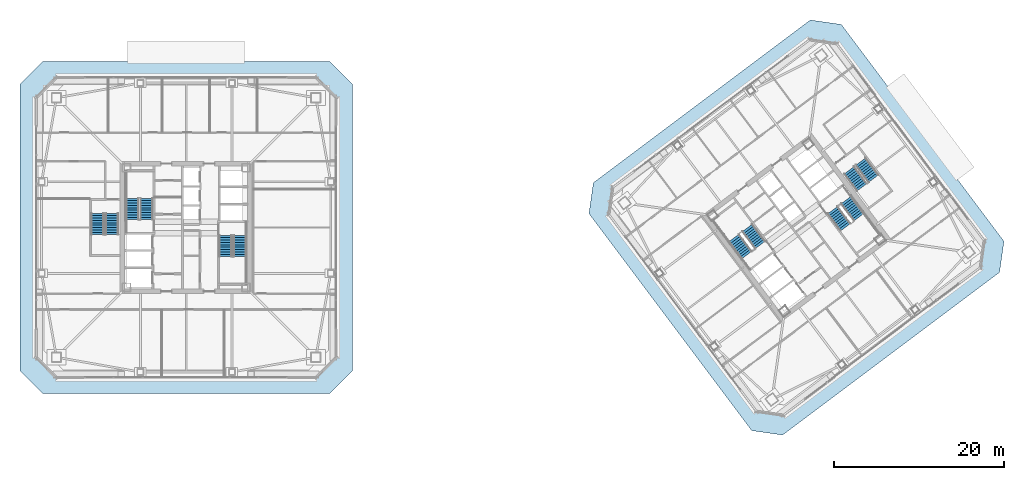
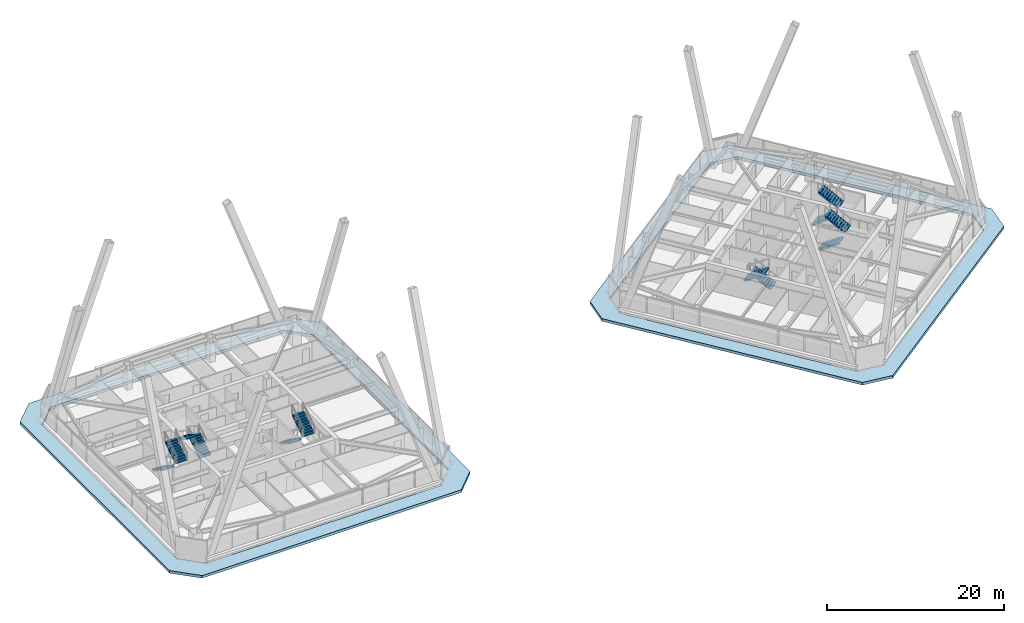
# One storey, part 59 of 65: 12 stair flights, 2 roofs, 6 elements without a shape of their own.
"""IFC4 building model written with IfcOpenShell, lengths in metres."""

from ifc_helpers import new_model, si_unit, direction, frame, origin, place, context, subcontext, project, spatial, polyline, outline, extrude, material, layer, layer_set, type_object, element, aggregate, save


model = new_model("IFC4")

# Units and contexts
model_context = context("Model", 3, precision=1e-05, world=origin(), true_north=direction((0.0, 1.0)))
body_context = subcontext(model_context, "Body", "Model", "MODEL_VIEW")
ifc_project = project(units=[si_unit("LENGTHUNIT", "METRE"), si_unit("AREAUNIT", "SQUARE_METRE"), si_unit("VOLUMEUNIT", "CUBIC_METRE"), si_unit("PLANEANGLEUNIT", "RADIAN"), si_unit("MASSUNIT", "GRAM", prefix="KILO")], contexts=[model_context])

# Site, building, storey
site_placement = place(None, origin())
site = spatial("IfcSite", under=ifc_project, at=site_placement, CompositionType="ELEMENT")
building_placement = place(site_placement, origin())
building = spatial("IfcBuilding", under=site, at=building_placement, Name="Tashvorn Skyway Center", CompositionType="ELEMENT")
storey_placement = place(building_placement, frame((0.0, 0.0, 157.0)))
storey = spatial("IfcBuildingStorey", under=building, at=storey_placement, Name="L42", CompositionType="ELEMENT", Elevation=157.0)

# Stair, stair flights
ifc_material_1 = material(Name="Concrete C40/50", Category="concrete")
stair_type = type_object("IfcStairType", Name="STAIR-CORE-1500", PredefinedType="HALF_TURN_STAIR", material=ifc_material_1)
stair_1_placement = place(storey_placement, origin())
stair_1 = element("IfcStair", 1, at=stair_1_placement, inside=storey, type_object=stair_type, Name="L42 Tower 1 Exit Stair 1", PredefinedType="HALF_TURN_STAIR")
stair_flight_type = type_object("IfcStairFlightType", Name="SFLIGHT-1500", PredefinedType="STRAIGHT", material=ifc_material_1)
stair_flight_1_placement = place(storey_placement, frame((37.35009765625, 32.919921875, 0.0), z_axis=(0.0, 0.0, 1.0), x_axis=(0.0, 1.0, 0.0)))
stair_flight_1 = element("IfcStairFlight", 2, at=stair_flight_1_placement, type_object=stair_flight_type, Name="ST-T1-1 flight 1", NumberOfRisers=10, NumberOfTreads=9, PredefinedType="STRAIGHT", RiserHeight=0.1775, TreadLength=0.28, context=body_context, shape_type="SweptSolid", body=[
    extrude(outline(polyline([(0.0, 0.0), (0.0, 0.177490234375), (0.280029296875, 0.177490234375), (0.280029296875, 0.35498046875), (0.56005859375, 0.35498046875), (0.56005859375, 0.532470703125), (0.840087890625, 0.532470703125), (0.840087890625, 0.7099609375), (1.1201171875, 0.7099609375), (1.1201171875, 0.887451171875), (1.39990234375, 0.887451171875), (1.39990234375, 1.06494140625), (1.679931640625, 1.06494140625), (1.679931640625, 1.242431640625), (1.9599609375, 1.242431640625), (1.9599609375, 1.419921875), (2.239990234375, 1.419921875), (2.239990234375, 1.597412109375), (2.52001953125, 1.597412109375), (2.52001953125, 1.77490234375), (2.52001953125, 1.419921875), (0.280029296875, 0.0), (0.0, 0.0)])), frame((0.0, 0.75, 0.0), z_axis=(0.0, -1.0, 0.0), x_axis=(1.0, 0.0, 0.0)), (0.0, 0.0, 1.0), 1.5),
])
stair_flight_2_placement = place(storey_placement, frame((35.64990234375, 35.43994140625, 1.77490234375), z_axis=(0.0, 0.0, 1.0), x_axis=(0.0, -1.0, 0.0)))
stair_flight_2 = element("IfcStairFlight", 3, at=stair_flight_2_placement, type_object=stair_flight_type, Name="ST-T1-1 flight 2", NumberOfRisers=10, NumberOfTreads=9, PredefinedType="STRAIGHT", RiserHeight=0.1775, TreadLength=0.28, context=body_context, shape_type="SweptSolid", body=[
    extrude(outline(polyline([(0.0, 0.0), (0.0, 0.177490234375), (0.280029296875, 0.177490234375), (0.280029296875, 0.35498046875), (0.56005859375, 0.35498046875), (0.56005859375, 0.532470703125), (0.840087890625, 0.532470703125), (0.840087890625, 0.7099609375), (1.1201171875, 0.7099609375), (1.1201171875, 0.887451171875), (1.39990234375, 0.887451171875), (1.39990234375, 1.06494140625), (1.679931640625, 1.06494140625), (1.679931640625, 1.242431640625), (1.9599609375, 1.242431640625), (1.9599609375, 1.419921875), (2.239990234375, 1.419921875), (2.239990234375, 1.597412109375), (2.52001953125, 1.597412109375), (2.52001953125, 1.77490234375), (2.52001953125, 1.419921875), (0.280029296875, 0.0), (0.0, 0.0)])), frame((0.0, 0.75, 0.0), z_axis=(0.0, -1.0, 0.0), x_axis=(1.0, 0.0, 0.0)), (0.0, 0.0, 1.0), 1.5),
])
aggregate(stair_1, [stair_flight_1, stair_flight_2])

stair_2_placement = place(storey_placement, origin())
stair_2 = element("IfcStair", 4, at=stair_2_placement, inside=storey, type_object=stair_type, Name="L42 Tower 1 Exit Stair 2", PredefinedType="HALF_TURN_STAIR")
stair_flight_3_placement = place(storey_placement, frame((46.64990234375, 31.080078125, 0.0), z_axis=(0.0, 0.0, 1.0), x_axis=(0.0, -1.0, 0.0)))
stair_flight_3 = element("IfcStairFlight", 5, at=stair_flight_3_placement, type_object=stair_flight_type, Name="ST-T1-2 flight 1", NumberOfRisers=10, NumberOfTreads=9, PredefinedType="STRAIGHT", RiserHeight=0.1775, TreadLength=0.28, context=body_context, shape_type="SweptSolid", body=[
    extrude(outline(polyline([(0.0, 0.0), (0.0, 0.177490234375), (0.280029296875, 0.177490234375), (0.280029296875, 0.35498046875), (0.56005859375, 0.35498046875), (0.56005859375, 0.532470703125), (0.840087890625, 0.532470703125), (0.840087890625, 0.7099609375), (1.1201171875, 0.7099609375), (1.1201171875, 0.887451171875), (1.39990234375, 0.887451171875), (1.39990234375, 1.06494140625), (1.679931640625, 1.06494140625), (1.679931640625, 1.242431640625), (1.9599609375, 1.242431640625), (1.9599609375, 1.419921875), (2.239990234375, 1.419921875), (2.239990234375, 1.597412109375), (2.52001953125, 1.597412109375), (2.52001953125, 1.77490234375), (2.52001953125, 1.419921875), (0.280029296875, 0.0), (0.0, 0.0)])), frame((0.0, 0.75, 0.0), z_axis=(0.0, -1.0, 0.0), x_axis=(1.0, 0.0, 0.0)), (0.0, 0.0, 1.0), 1.5),
])
stair_flight_4_placement = place(storey_placement, frame((48.35009765625, 28.56005859375, 1.77490234375), z_axis=(0.0, 0.0, 1.0), x_axis=(0.0, 1.0, 0.0)))
stair_flight_4 = element("IfcStairFlight", 6, at=stair_flight_4_placement, type_object=stair_flight_type, Name="ST-T1-2 flight 2", NumberOfRisers=10, NumberOfTreads=9, PredefinedType="STRAIGHT", RiserHeight=0.1775, TreadLength=0.28, context=body_context, shape_type="SweptSolid", body=[
    extrude(outline(polyline([(0.0, 0.0), (0.0, 0.177490234375), (0.280029296875, 0.177490234375), (0.280029296875, 0.35498046875), (0.56005859375, 0.35498046875), (0.56005859375, 0.532470703125), (0.840087890625, 0.532470703125), (0.840087890625, 0.7099609375), (1.1201171875, 0.7099609375), (1.1201171875, 0.887451171875), (1.39990234375, 0.887451171875), (1.39990234375, 1.06494140625), (1.679931640625, 1.06494140625), (1.679931640625, 1.242431640625), (1.9599609375, 1.242431640625), (1.9599609375, 1.419921875), (2.239990234375, 1.419921875), (2.239990234375, 1.597412109375), (2.52001953125, 1.597412109375), (2.52001953125, 1.77490234375), (2.52001953125, 1.419921875), (0.280029296875, 0.0), (0.0, 0.0)])), frame((0.0, 0.75, 0.0), z_axis=(0.0, -1.0, 0.0), x_axis=(1.0, 0.0, 0.0)), (0.0, 0.0, 1.0), 1.5),
])
aggregate(stair_2, [stair_flight_3, stair_flight_4])

stair_3_placement = place(storey_placement, origin())
stair_3 = element("IfcStair", 7, at=stair_3_placement, inside=storey, type_object=stair_type, Name="L42 Tower 2 Exit Stair 1", PredefinedType="HALF_TURN_STAIR")
stair_flight_5_placement = place(storey_placement, frame((109.72802734375, 29.946044921875, 0.0), z_axis=(0.0, 0.0, 1.0), x_axis=(-0.600000004945, 0.799999996291, 0.0)))
stair_flight_5 = element("IfcStairFlight", 8, at=stair_flight_5_placement, type_object=stair_flight_type, Name="ST-T2-1 flight 1", NumberOfRisers=10, NumberOfTreads=9, PredefinedType="STRAIGHT", RiserHeight=0.1775, TreadLength=0.28, context=body_context, shape_type="SweptSolid", body=[
    extrude(outline(polyline([(0.0, 0.0), (0.0, 0.177490234375), (0.280029296875, 0.177490234375), (0.280029296875, 0.35498046875), (0.56005859375, 0.35498046875), (0.56005859375, 0.532470703125), (0.840087890625, 0.532470703125), (0.840087890625, 0.7099609375), (1.1201171875, 0.7099609375), (1.1201171875, 0.887451171875), (1.39990234375, 0.887451171875), (1.39990234375, 1.06494140625), (1.679931640625, 1.06494140625), (1.679931640625, 1.242431640625), (1.9599609375, 1.242431640625), (1.9599609375, 1.419921875), (2.239990234375, 1.419921875), (2.239990234375, 1.597412109375), (2.52001953125, 1.597412109375), (2.52001953125, 1.77490234375), (2.52001953125, 1.419921875), (0.280029296875, 0.0), (0.0, 0.0)])), frame((0.0, 0.75, 0.0), z_axis=(0.0, -1.0, 0.0), x_axis=(1.0, 0.0, 0.0)), (0.0, 0.0, 1.0), 1.5),
])
stair_flight_6_placement = place(storey_placement, frame((106.632080078125, 30.77392578125, 1.77490234375), z_axis=(0.0, 0.0, 1.0), x_axis=(0.600000004945, -0.799999996291, 0.0)))
stair_flight_6 = element("IfcStairFlight", 9, at=stair_flight_6_placement, type_object=stair_flight_type, Name="ST-T2-1 flight 2", NumberOfRisers=10, NumberOfTreads=9, PredefinedType="STRAIGHT", RiserHeight=0.1775, TreadLength=0.28, context=body_context, shape_type="SweptSolid", body=[
    extrude(outline(polyline([(0.0, 0.0), (0.0, 0.177490234375), (0.280029296875, 0.177490234375), (0.280029296875, 0.35498046875), (0.56005859375, 0.35498046875), (0.56005859375, 0.532470703125), (0.840087890625, 0.532470703125), (0.840087890625, 0.7099609375), (1.1201171875, 0.7099609375), (1.1201171875, 0.887451171875), (1.39990234375, 0.887451171875), (1.39990234375, 1.06494140625), (1.679931640625, 1.06494140625), (1.679931640625, 1.242431640625), (1.9599609375, 1.242431640625), (1.9599609375, 1.419921875), (2.239990234375, 1.419921875), (2.239990234375, 1.597412109375), (2.52001953125, 1.597412109375), (2.52001953125, 1.77490234375), (2.52001953125, 1.419921875), (0.280029296875, 0.0), (0.0, 0.0)])), frame((0.0, 0.75, 0.0), z_axis=(0.0, -1.0, 0.0), x_axis=(1.0, 0.0, 0.0)), (0.0, 0.0, 1.0), 1.5),
])
aggregate(stair_3, [stair_flight_5, stair_flight_6])

stair_4_placement = place(storey_placement, origin())
stair_4 = element("IfcStair", 10, at=stair_4_placement, inside=storey, type_object=stair_type, Name="L42 Tower 2 Exit Stair 2", PredefinedType="HALF_TURN_STAIR")
stair_flight_7_placement = place(storey_placement, frame((118.27197265625, 34.053955078125, 0.0), z_axis=(0.0, 0.0, 1.0), x_axis=(0.600000004945, -0.799999996291, 0.0)))
stair_flight_7 = element("IfcStairFlight", 11, at=stair_flight_7_placement, type_object=stair_flight_type, Name="ST-T2-2 flight 1", NumberOfRisers=10, NumberOfTreads=9, PredefinedType="STRAIGHT", RiserHeight=0.1775, TreadLength=0.28, context=body_context, shape_type="SweptSolid", body=[
    extrude(outline(polyline([(0.0, 0.0), (0.0, 0.177490234375), (0.280029296875, 0.177490234375), (0.280029296875, 0.35498046875), (0.56005859375, 0.35498046875), (0.56005859375, 0.532470703125), (0.840087890625, 0.532470703125), (0.840087890625, 0.7099609375), (1.1201171875, 0.7099609375), (1.1201171875, 0.887451171875), (1.39990234375, 0.887451171875), (1.39990234375, 1.06494140625), (1.679931640625, 1.06494140625), (1.679931640625, 1.242431640625), (1.9599609375, 1.242431640625), (1.9599609375, 1.419921875), (2.239990234375, 1.419921875), (2.239990234375, 1.597412109375), (2.52001953125, 1.597412109375), (2.52001953125, 1.77490234375), (2.52001953125, 1.419921875), (0.280029296875, 0.0), (0.0, 0.0)])), frame((0.0, 0.75, 0.0), z_axis=(0.0, -1.0, 0.0), x_axis=(1.0, 0.0, 0.0)), (0.0, 0.0, 1.0), 1.5),
])
stair_flight_8_placement = place(storey_placement, frame((121.367919921875, 33.22607421875, 1.77490234375), z_axis=(0.0, 0.0, 1.0), x_axis=(-0.600000004945, 0.799999996291, 0.0)))
stair_flight_8 = element("IfcStairFlight", 12, at=stair_flight_8_placement, type_object=stair_flight_type, Name="ST-T2-2 flight 2", NumberOfRisers=10, NumberOfTreads=9, PredefinedType="STRAIGHT", RiserHeight=0.1775, TreadLength=0.28, context=body_context, shape_type="SweptSolid", body=[
    extrude(outline(polyline([(0.0, 0.0), (0.0, 0.177490234375), (0.280029296875, 0.177490234375), (0.280029296875, 0.35498046875), (0.56005859375, 0.35498046875), (0.56005859375, 0.532470703125), (0.840087890625, 0.532470703125), (0.840087890625, 0.7099609375), (1.1201171875, 0.7099609375), (1.1201171875, 0.887451171875), (1.39990234375, 0.887451171875), (1.39990234375, 1.06494140625), (1.679931640625, 1.06494140625), (1.679931640625, 1.242431640625), (1.9599609375, 1.242431640625), (1.9599609375, 1.419921875), (2.239990234375, 1.419921875), (2.239990234375, 1.597412109375), (2.52001953125, 1.597412109375), (2.52001953125, 1.77490234375), (2.52001953125, 1.419921875), (0.280029296875, 0.0), (0.0, 0.0)])), frame((0.0, 0.75, 0.0), z_axis=(0.0, -1.0, 0.0), x_axis=(1.0, 0.0, 0.0)), (0.0, 0.0, 1.0), 1.5),
])
aggregate(stair_4, [stair_flight_7, stair_flight_8])

stair_5_placement = place(storey_placement, origin())
stair_5 = element("IfcStair", 13, at=stair_5_placement, inside=storey, type_object=stair_type, Name="L42 Tower 1 Exit Stair 3", PredefinedType="HALF_TURN_STAIR")
stair_flight_9_placement = place(storey_placement, frame((31.550048828125, 33.679931640625, 0.0), z_axis=(0.0, 0.0, 1.0), x_axis=(0.0, -1.0, 0.0)))
stair_flight_9 = element("IfcStairFlight", 14, at=stair_flight_9_placement, type_object=stair_flight_type, Name="ST-T1-3 flight 1", NumberOfRisers=10, NumberOfTreads=9, PredefinedType="STRAIGHT", RiserHeight=0.1775, TreadLength=0.28, context=body_context, shape_type="SweptSolid", body=[
    extrude(outline(polyline([(0.0, 0.0), (0.0, 0.177490234375), (0.280029296875, 0.177490234375), (0.280029296875, 0.35498046875), (0.56005859375, 0.35498046875), (0.56005859375, 0.532470703125), (0.840087890625, 0.532470703125), (0.840087890625, 0.7099609375), (1.1201171875, 0.7099609375), (1.1201171875, 0.887451171875), (1.39990234375, 0.887451171875), (1.39990234375, 1.06494140625), (1.679931640625, 1.06494140625), (1.679931640625, 1.242431640625), (1.9599609375, 1.242431640625), (1.9599609375, 1.419921875), (2.239990234375, 1.419921875), (2.239990234375, 1.597412109375), (2.52001953125, 1.597412109375), (2.52001953125, 1.77490234375), (2.52001953125, 1.419921875), (0.280029296875, 0.0), (0.0, 0.0)])), frame((0.0, 0.75, 0.0), z_axis=(0.0, -1.0, 0.0), x_axis=(1.0, 0.0, 0.0)), (0.0, 0.0, 1.0), 1.5),
])
stair_flight_10_placement = place(storey_placement, frame((33.25, 31.159912109375, 1.77490234375), z_axis=(0.0, 0.0, 1.0), x_axis=(0.0, 1.0, 0.0)))
stair_flight_10 = element("IfcStairFlight", 15, at=stair_flight_10_placement, type_object=stair_flight_type, Name="ST-T1-3 flight 2", NumberOfRisers=10, NumberOfTreads=9, PredefinedType="STRAIGHT", RiserHeight=0.1775, TreadLength=0.28, context=body_context, shape_type="SweptSolid", body=[
    extrude(outline(polyline([(0.0, 0.0), (0.0, 0.177490234375), (0.280029296875, 0.177490234375), (0.280029296875, 0.35498046875), (0.56005859375, 0.35498046875), (0.56005859375, 0.532470703125), (0.840087890625, 0.532470703125), (0.840087890625, 0.7099609375), (1.1201171875, 0.7099609375), (1.1201171875, 0.887451171875), (1.39990234375, 0.887451171875), (1.39990234375, 1.06494140625), (1.679931640625, 1.06494140625), (1.679931640625, 1.242431640625), (1.9599609375, 1.242431640625), (1.9599609375, 1.419921875), (2.239990234375, 1.419921875), (2.239990234375, 1.597412109375), (2.52001953125, 1.597412109375), (2.52001953125, 1.77490234375), (2.52001953125, 1.419921875), (0.280029296875, 0.0), (0.0, 0.0)])), frame((0.0, 0.75, 0.0), z_axis=(0.0, -1.0, 0.0), x_axis=(1.0, 0.0, 0.0)), (0.0, 0.0, 1.0), 1.5),
])
aggregate(stair_5, [stair_flight_9, stair_flight_10])

stair_6_placement = place(storey_placement, origin())
stair_6 = element("IfcStair", 16, at=stair_6_placement, inside=storey, type_object=stair_type, Name="L42 Tower 2 Exit Stair 3", PredefinedType="HALF_TURN_STAIR")
stair_flight_11_placement = place(storey_placement, frame((120.216064453125, 38.761962890625, 0.0), z_axis=(0.0, 0.0, 1.0), x_axis=(0.600000004945, -0.799999996291, 0.0)))
stair_flight_11 = element("IfcStairFlight", 17, at=stair_flight_11_placement, type_object=stair_flight_type, Name="ST-T2-3 flight 1", NumberOfRisers=10, NumberOfTreads=9, PredefinedType="STRAIGHT", RiserHeight=0.1775, TreadLength=0.28, context=body_context, shape_type="SweptSolid", body=[
    extrude(outline(polyline([(0.0, 0.0), (0.0, 0.177490234375), (0.280029296875, 0.177490234375), (0.280029296875, 0.35498046875), (0.56005859375, 0.35498046875), (0.56005859375, 0.532470703125), (0.840087890625, 0.532470703125), (0.840087890625, 0.7099609375), (1.1201171875, 0.7099609375), (1.1201171875, 0.887451171875), (1.39990234375, 0.887451171875), (1.39990234375, 1.06494140625), (1.679931640625, 1.06494140625), (1.679931640625, 1.242431640625), (1.9599609375, 1.242431640625), (1.9599609375, 1.419921875), (2.239990234375, 1.419921875), (2.239990234375, 1.597412109375), (2.52001953125, 1.597412109375), (2.52001953125, 1.77490234375), (2.52001953125, 1.419921875), (0.280029296875, 0.0), (0.0, 0.0)])), frame((0.0, 0.75, 0.0), z_axis=(0.0, -1.0, 0.0), x_axis=(1.0, 0.0, 0.0)), (0.0, 0.0, 1.0), 1.5),
])
stair_flight_12_placement = place(storey_placement, frame((123.087890625, 37.76611328125, 1.77490234375), z_axis=(0.0, 0.0, 1.0), x_axis=(-0.600000004945, 0.799999996291, 0.0)))
stair_flight_12 = element("IfcStairFlight", 18, at=stair_flight_12_placement, type_object=stair_flight_type, Name="ST-T2-3 flight 2", NumberOfRisers=10, NumberOfTreads=9, PredefinedType="STRAIGHT", RiserHeight=0.1775, TreadLength=0.28, context=body_context, shape_type="SweptSolid", body=[
    extrude(outline(polyline([(0.0, 0.0), (0.0, 0.177490234375), (0.280029296875, 0.177490234375), (0.280029296875, 0.35498046875), (0.56005859375, 0.35498046875), (0.56005859375, 0.532470703125), (0.840087890625, 0.532470703125), (0.840087890625, 0.7099609375), (1.1201171875, 0.7099609375), (1.1201171875, 0.887451171875), (1.39990234375, 0.887451171875), (1.39990234375, 1.06494140625), (1.679931640625, 1.06494140625), (1.679931640625, 1.242431640625), (1.9599609375, 1.242431640625), (1.9599609375, 1.419921875), (2.239990234375, 1.419921875), (2.239990234375, 1.597412109375), (2.52001953125, 1.597412109375), (2.52001953125, 1.77490234375), (2.52001953125, 1.419921875), (0.280029296875, 0.0), (0.0, 0.0)])), frame((0.0, 0.75, 0.0), z_axis=(0.0, -1.0, 0.0), x_axis=(1.0, 0.0, 0.0)), (0.0, 0.0, 1.0), 1.5),
])
aggregate(stair_6, [stair_flight_11, stair_flight_12])

# Roofs
ifc_material_2 = material(Name="Architectural glazed Mojave terracotta roof and cornice system", Category="masonry")
ifc_layer = layer(ifc_material_2, 0.360107421875)
ifc_layer_set = layer_set([ifc_layer], Name="Architectural glazed Mojave terracotta roof and cornice system")
roof_type = type_object("IfcRoofType", Name="ROOF-PM-CORNICE", PredefinedType="GABLE_ROOF", material=ifc_layer_set)
roof_1_placement = place(storey_placement, origin())
element("IfcRoof", 19, at=roof_1_placement, inside=storey, type_object=roof_type, Name="Tower 1 L42 Postmodern Setback Terracotta Cornice", PredefinedType="GABLE_ROOF", context=body_context, shape_type="SweptSolid", body=[
    extrude(outline(polyline([(25.10009765625, 12.39990234375), (58.89990234375, 12.39990234375), (61.60009765625, 15.10009765625), (61.60009765625, 48.89990234375), (58.89990234375, 51.60009765625), (25.10009765625, 51.60009765625), (22.39990234375, 48.89990234375), (22.39990234375, 15.10009765625), (25.10009765625, 12.39990234375)]), holes=[polyline([(26.800048828125, 14.300048828125), (57.199951171875, 14.300048828125), (59.699951171875, 16.800048828125), (59.699951171875, 47.199951171875), (57.199951171875, 49.699951171875), (26.800048828125, 49.699951171875), (24.300048828125, 47.199951171875), (24.300048828125, 16.800048828125), (26.800048828125, 14.300048828125)])]), origin(), (0.0, 0.0, 1.0), 0.360107421875),
])
roof_2_placement = place(storey_placement, origin())
element("IfcRoof", 20, at=roof_2_placement, inside=storey, type_object=roof_type, Name="Tower 2 L42 Postmodern Setback Terracotta Cornice", PredefinedType="GABLE_ROOF", context=body_context, shape_type="SweptSolid", body=[
    extrude(outline(polyline([(112.360107421875, 7.52001953125), (137.9599609375, 26.719970703125), (138.47998046875, 30.360107421875), (119.280029296875, 55.9599609375), (115.639892578125, 56.47998046875), (90.0400390625, 37.280029296875), (89.52001953125, 33.639892578125), (108.719970703125, 8.0400390625), (112.360107421875, 7.52001953125)]), holes=[polyline([(112.56005859375, 9.919921875), (135.60009765625, 27.199951171875), (136.080078125, 30.56005859375), (118.800048828125, 53.60009765625), (115.43994140625, 54.080078125), (92.39990234375, 36.800048828125), (91.919921875, 33.43994140625), (109.199951171875, 10.39990234375), (112.56005859375, 9.919921875)])]), origin(), (0.0, 0.0, 1.0), 0.360107421875),
])

save(model, "model.ifc")
